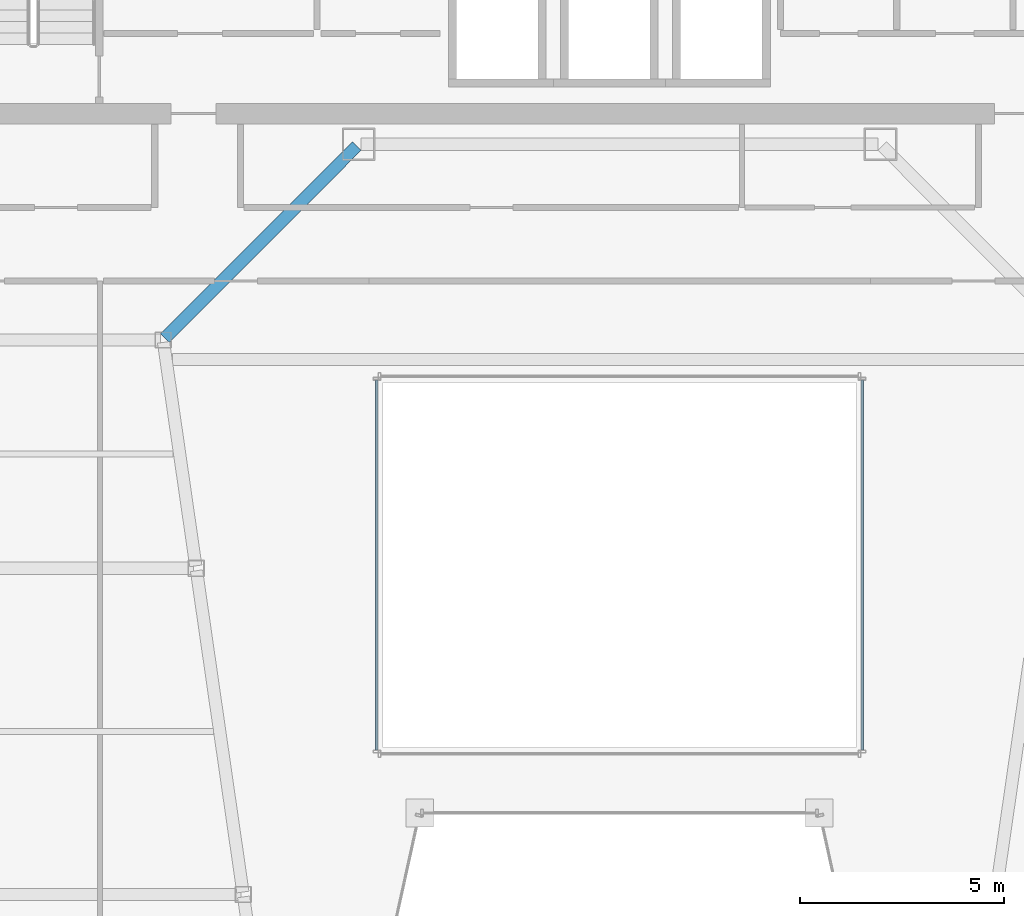
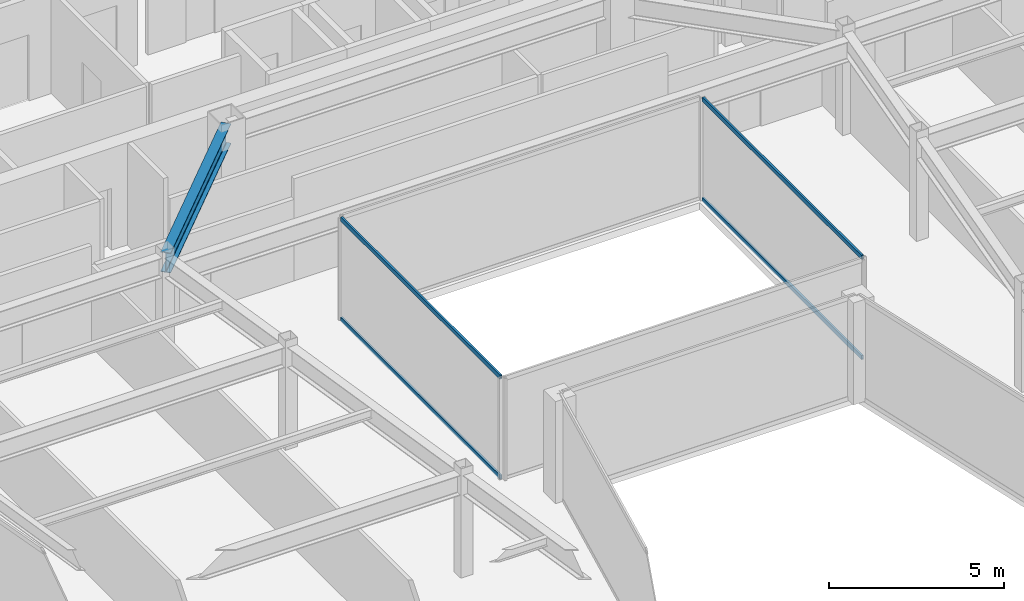
# One storey, part 12 of 36: 4 members, 1 beam, 2 elements without a shape of their own.
"""IFC4 building model written with IfcOpenShell, lengths in metres."""

from ifc_helpers import new_model, si_unit, direction, frame, origin, origin_2d, place, context, subcontext, project, spatial, hollow_rectangle, i_section, extrude, material, material_profile, profile_set, type_object, element, aggregate, save


model = new_model("IFC4")

# Units and contexts
model_context = context("Model", 3, precision=1e-05, world=origin(), true_north=direction((0.0, 1.0)))
body_context = subcontext(model_context, "Body", "Model", "MODEL_VIEW")
ifc_project = project(units=[si_unit("LENGTHUNIT", "METRE"), si_unit("AREAUNIT", "SQUARE_METRE"), si_unit("VOLUMEUNIT", "CUBIC_METRE"), si_unit("PLANEANGLEUNIT", "RADIAN"), si_unit("MASSUNIT", "GRAM", prefix="KILO")], contexts=[model_context])

# Site, building, storey
site_placement = place(None, origin())
site = spatial("IfcSite", under=ifc_project, at=site_placement, CompositionType="ELEMENT")
building_placement = place(site_placement, origin())
building = spatial("IfcBuilding", under=site, at=building_placement, Name="Saevonmaru Cultural Tower", CompositionType="ELEMENT")
storey_placement = place(building_placement, frame((0.0, 0.0, 201.800048828125)))
storey = spatial("IfcBuildingStorey", under=building, at=storey_placement, Name="L46", CompositionType="ELEMENT", Elevation=201.800048828125)

# Beam
ifc_material_1 = material(Name="Steel SM355", Category="steel")
ifc_material_profile_1 = material_profile(ifc_material_1, i_section(OverallWidth=0.300048828125, OverallDepth=0.699951171875, WebThickness=0.012939453125, FlangeThickness=0.02392578125, FilletRadius=0.02587890625, at=origin_2d()), Name="H-700x300x13x24")
ifc_profile_set_1 = profile_set([ifc_material_profile_1], Name="Steel SM355")
beam_type = type_object("IfcBeamType", Name="BM-G-H700", PredefinedType="BEAM", material=ifc_profile_set_1)
beam_placement = place(storey_placement, frame((18.850341796875, 37.642578125, 3.199951171875), z_axis=(0.706538566564, 0.707674539572, 0.0), x_axis=(-0.707674539572, 0.706538566564, 0.0)))
element("IfcBeam", 1, at=beam_placement, inside=storey, type_object=beam_type, Name="L46 West Atrium Girder 4", PredefinedType="BEAM", context=body_context, shape_type="SweptSolid", body=[
    extrude(i_section(OverallWidth=0.300048828125, OverallDepth=0.699951171875, WebThickness=0.012939453125, FlangeThickness=0.02392578125, FilletRadius=0.02587890625, at=origin_2d()), origin(), (0.0, 0.0, 1.0), 6.662353515625),
])

# Curtain wall, members
ifc_material_2 = material(Name="Satin Bronze Anodised Aluminium", Category="aluminium")
curtain_wall_type = type_object("IfcCurtainWallType", Name="CW-ATR-GLZ", PredefinedType="NOTDEFINED", material=ifc_material_2)
curtain_wall_1_placement = place(storey_placement, origin())
curtain_wall_1 = element("IfcCurtainWall", 2, at=curtain_wall_1_placement, inside=storey, type_object=curtain_wall_type, Name="L46 Vertical Atrium Glazed Smoke Screen 2", PredefinedType="NOTDEFINED")
ifc_material_profile_2 = material_profile(ifc_material_2, hollow_rectangle(XDim=0.06494140625, YDim=0.14990234375, WallThickness=0.00390625, at=origin_2d()), Name="ALU-TRAN-150x65x4")
ifc_profile_set_2 = profile_set([ifc_material_profile_2], Name="Satin Bronze Anodised Aluminium")
member_type = type_object("IfcMemberType", Name="TR-CW-INT-150x65", PredefinedType="USERDEFINED", material=ifc_profile_set_2)
member_1_placement = place(storey_placement, frame((35.949951171875, 27.54248046875, 0.032470703125), z_axis=(0.0, 1.0, 0.0), x_axis=(-1.0, 0.0, 0.0)))
member_1 = element("IfcMember", 3, at=member_1_placement, type_object=member_type, Name="CW-ATR-L46-2 transom 1.1", ObjectType="TRANSOM", PredefinedType="USERDEFINED", context=body_context, shape_type="SweptSolid", body=[
    extrude(hollow_rectangle(XDim=0.06494140625, YDim=0.14990234375, WallThickness=0.00390625, at=origin_2d()), origin(), (0.0, 0.0, 1.0), 9.074951171875),
])
member_2_placement = place(storey_placement, frame((35.949951171875, 27.54248046875, 3.517333984375), z_axis=(0.0, 1.0, 0.0), x_axis=(-1.0, 0.0, 0.0)))
member_2 = element("IfcMember", 4, at=member_2_placement, type_object=member_type, Name="CW-ATR-L46-2 transom 1.2", ObjectType="TRANSOM", PredefinedType="USERDEFINED", context=body_context, shape_type="SweptSolid", body=[
    extrude(hollow_rectangle(XDim=0.06494140625, YDim=0.14990234375, WallThickness=0.00390625, at=origin_2d()), origin(), (0.0, 0.0, 1.0), 9.074951171875),
])
aggregate(curtain_wall_1, [member_1, member_2])

curtain_wall_2_placement = place(storey_placement, origin())
curtain_wall_2 = element("IfcCurtainWall", 5, at=curtain_wall_2_placement, inside=storey, type_object=curtain_wall_type, Name="L46 Vertical Atrium Glazed Smoke Screen 4", PredefinedType="NOTDEFINED")
member_3_placement = place(storey_placement, frame((24.050048828125, 36.617431640625, 0.032470703125), z_axis=(0.0, -1.0, 0.0), x_axis=(1.0, 0.0, 0.0)))
member_3 = element("IfcMember", 6, at=member_3_placement, type_object=member_type, Name="CW-ATR-L46-4 transom 1.1", ObjectType="TRANSOM", PredefinedType="USERDEFINED", context=body_context, shape_type="SweptSolid", body=[
    extrude(hollow_rectangle(XDim=0.06494140625, YDim=0.14990234375, WallThickness=0.00390625, at=origin_2d()), origin(), (0.0, 0.0, 1.0), 9.074951171875),
])
member_4_placement = place(storey_placement, frame((24.050048828125, 36.617431640625, 3.517333984375), z_axis=(0.0, -1.0, 0.0), x_axis=(1.0, 0.0, 0.0)))
member_4 = element("IfcMember", 7, at=member_4_placement, type_object=member_type, Name="CW-ATR-L46-4 transom 1.2", ObjectType="TRANSOM", PredefinedType="USERDEFINED", context=body_context, shape_type="SweptSolid", body=[
    extrude(hollow_rectangle(XDim=0.06494140625, YDim=0.14990234375, WallThickness=0.00390625, at=origin_2d()), origin(), (0.0, 0.0, 1.0), 9.074951171875),
])
aggregate(curtain_wall_2, [member_3, member_4])

save(model, "model.ifc")
